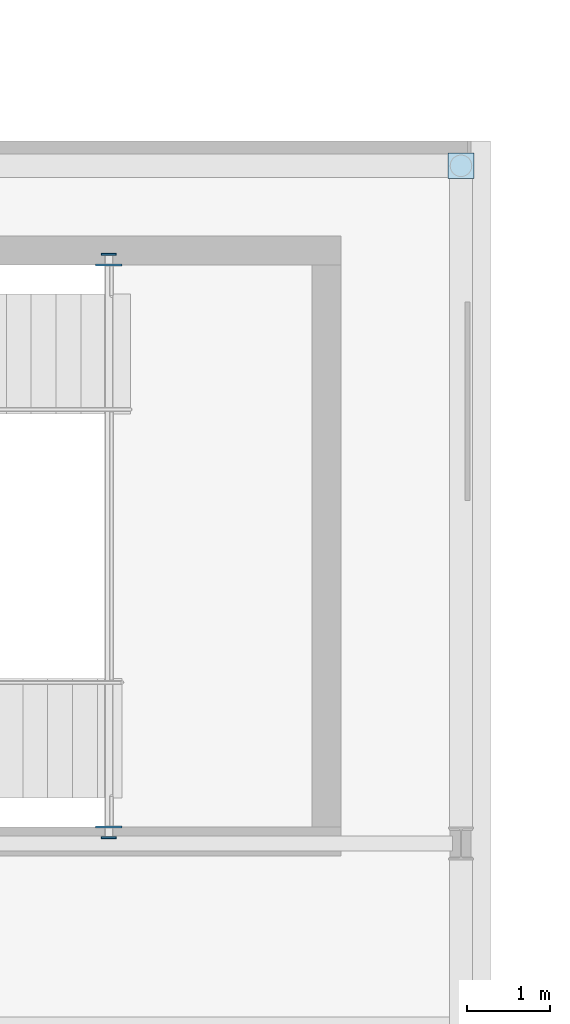
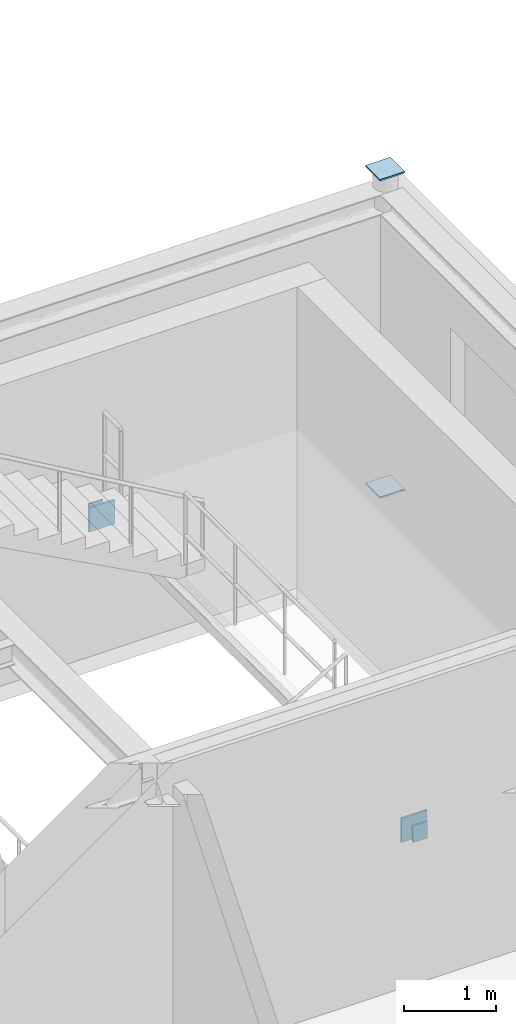
# One storey, part 35 of 52: 6 plates.
"""IFC4 building model written with IfcOpenShell, lengths in metres."""

from ifc_helpers import new_model, si_unit, direction, frame, origin, origin_2d, place, context, subcontext, project, spatial, rectangle, extrude, material, layer, layer_set, type_object, element, save


model = new_model("IFC4")

# Units and contexts
model_context = context("Model", 3, precision=1e-05, world=origin(), true_north=direction((0.0, 1.0)))
body_context = subcontext(model_context, "Body", "Model", "MODEL_VIEW")
ifc_project = project(units=[si_unit("LENGTHUNIT", "METRE"), si_unit("AREAUNIT", "SQUARE_METRE"), si_unit("VOLUMEUNIT", "CUBIC_METRE"), si_unit("PLANEANGLEUNIT", "RADIAN"), si_unit("MASSUNIT", "GRAM", prefix="KILO"), si_unit("THERMODYNAMICTEMPERATUREUNIT", "KELVIN"), si_unit("POWERUNIT", "WATT")], contexts=[model_context])

# Site, building, storey
site_placement = place(None, origin())
site = spatial("IfcSite", under=ifc_project, at=site_placement, CompositionType="ELEMENT")
building_placement = place(site_placement, origin())
building = spatial("IfcBuilding", under=site, at=building_placement, Name="Solvatero Civic Police Headquarters", CompositionType="ELEMENT")
storey_placement = place(building_placement, frame((0.0, 0.0, 13.5)))
storey = spatial("IfcBuildingStorey", under=building, at=storey_placement, Name="L03", CompositionType="ELEMENT", Elevation=13.5)

# Plates
ifc_material = material(Name="Steel S355", Category="steel")
ifc_layer_1 = layer(ifc_material, 0.02001953125)
ifc_layer_set_1 = layer_set([ifc_layer_1], Name="Steel S355")
plate_type_1 = type_object("IfcPlateType", Name="PLT-CAP-20", PredefinedType="SHEET", material=ifc_layer_set_1)
for number, where, z_axis, x_axis, name in (
    (1, (28.199951171875, 83.199951171875, 4.199951171875), (0.0, 0.0, 1.0), (1.0, 0.0, 0.0), "Hollow Section End Cap Plate 0133"),
    (2, (28.199951171875, 83.199951171875, -0.02001953125), (0.0, 0.0, 1.0), (1.0, 0.0, 0.0), "Hollow Section End Cap Plate 0134"),
):
    element("IfcPlate", number, at=place(storey_placement, frame(where, z_axis=z_axis, x_axis=x_axis)), inside=storey, type_object=plate_type_1, Name=name, PredefinedType="SHEET", context=body_context, shape_type="SweptSolid", body=[
        extrude(rectangle(XDim=0.31298828125, YDim=0.31298828125, at=origin_2d()), origin(), (0.0, 0.0, 1.0), 0.02001953125),
    ])
for number, where, z_axis, x_axis, name in (
    (3, (23.93994140625, 75.070068359375, 1.71484375), (0.0, 0.0, 1.0), (1.0, 0.0, 0.0), "Hollow Section Cap Plate 0061"),
    (4, (23.93994140625, 82.1298828125, 1.71484375), (0.0, 0.0, 1.0), (1.0, 0.0, 0.0), "Hollow Section Cap Plate 0062"),
):
    element("IfcPlate", number, at=place(storey_placement, frame(where, z_axis=z_axis, x_axis=x_axis)), inside=storey, type_object=plate_type_1, Name=name, PredefinedType="SHEET", context=body_context, shape_type="SweptSolid", body=[
        extrude(rectangle(XDim=0.179931640625, YDim=0.02001953125, at=origin_2d()), origin(), (0.0, 0.0, 1.0), 0.219970703125),
    ])
ifc_layer_2 = layer(ifc_material, 0.02490234375)
ifc_layer_set_2 = layer_set([ifc_layer_2], Name="Steel S355")
plate_type_2 = type_object("IfcPlateType", Name="PLT-EMB-25", PredefinedType="SHEET", material=ifc_layer_set_2)
for number, where, z_axis, x_axis, name in (
    (5, (23.93994140625, 75.199951171875, 1.6650390625), (0.0, 0.0, 1.0), (1.0, 0.0, 0.0), "Cast-In Shear Wall Embed Plate 0061"),
    (6, (23.93994140625, 82.0, 1.6650390625), (0.0, 0.0, 1.0), (1.0, 0.0, 0.0), "Cast-In Shear Wall Embed Plate 0062"),
):
    element("IfcPlate", number, at=place(storey_placement, frame(where, z_axis=z_axis, x_axis=x_axis)), inside=storey, type_object=plate_type_2, Name=name, PredefinedType="SHEET", context=body_context, shape_type="SweptSolid", body=[
        extrude(rectangle(XDim=0.320068359375, YDim=0.02490234375, at=origin_2d()), origin(), (0.0, 0.0, 1.0), 0.320068359375),
    ])

save(model, "model.ifc")
